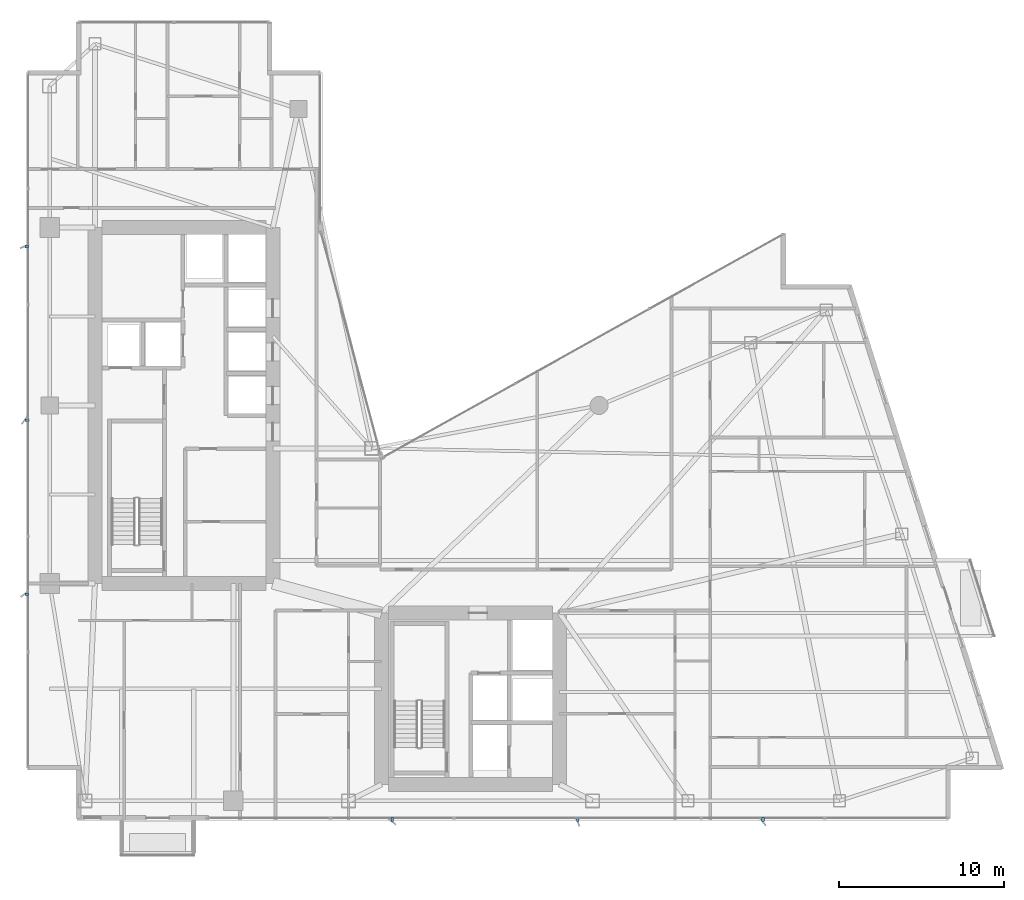
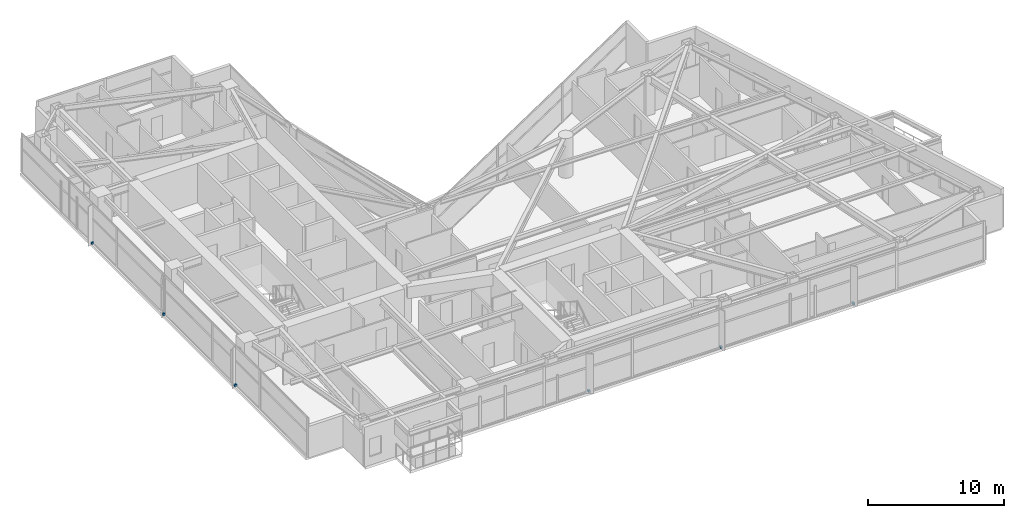
# One storey, part 26 of 28: 6 discrete accessories.
"""IFC4 building model written with IfcOpenShell, lengths in metres."""

from ifc_helpers import new_model, si_unit, direction, frame, origin, origin_2d, place, context, subcontext, project, spatial, rectangle, extrude, material, type_object, element, save


model = new_model("IFC4")

# Units and contexts
model_context = context("Model", 3, precision=1e-05, world=origin(), true_north=direction((0.0, 1.0)))
body_context = subcontext(model_context, "Body", "Model", "MODEL_VIEW")
ifc_project = project(units=[si_unit("LENGTHUNIT", "METRE"), si_unit("AREAUNIT", "SQUARE_METRE"), si_unit("VOLUMEUNIT", "CUBIC_METRE"), si_unit("PLANEANGLEUNIT", "RADIAN"), si_unit("MASSUNIT", "GRAM", prefix="KILO")], contexts=[model_context])

# Site, building, storey
site_placement = place(None, origin())
site = spatial("IfcSite", under=ifc_project, at=site_placement, CompositionType="ELEMENT")
building_placement = place(site_placement, origin())
building = spatial("IfcBuilding", under=site, at=building_placement, Name="Calvorn Quay Hotel", CompositionType="ELEMENT")
storey_placement = place(building_placement, frame((0.0, 0.0, 127.800048828125)))
storey = spatial("IfcBuildingStorey", under=building, at=storey_placement, Name="L31", CompositionType="ELEMENT", Elevation=127.800048828125)

# Discrete accessories
ifc_material = material(Name="Steel Q355B", Category="steel")
discrete_accessory_type = type_object("IfcDiscreteAccessoryType", Name="ACC-FIN-BRACKET", PredefinedType="BRACKET", material=ifc_material)
for number, where, z_axis, x_axis, name in (
    (1, (0.06005859375, 16.14990234375, 0.02978515625), (0.0, 0.0, 1.0), (1.0, 0.0, 0.0), "Fin Anchor Bracket L31-W01"),
    (2, (0.06005859375, 26.699951171875, 0.02978515625), (0.0, 0.0, 1.0), (1.0, 0.0, 0.0), "Fin Anchor Bracket L31-W02"),
    (3, (0.06005859375, 37.25, 0.02978515625), (0.0, 0.0, 1.0), (1.0, 0.0, 0.0), "Fin Anchor Bracket L31-W03"),
    (4, (22.25, 2.4599609375, 0.02978515625), (0.0, 0.0, 1.0), (0.0, 1.0, 0.0), "Fin Anchor Bracket L31-S01"),
    (5, (33.5, 2.4599609375, 0.02978515625), (0.0, 0.0, 1.0), (0.0, 1.0, 0.0), "Fin Anchor Bracket L31-S02"),
    (6, (44.75, 2.4599609375, 0.02978515625), (0.0, 0.0, 1.0), (0.0, 1.0, 0.0), "Fin Anchor Bracket L31-S03"),
):
    element("IfcDiscreteAccessory", number, at=place(storey_placement, frame(where, z_axis=z_axis, x_axis=x_axis)), inside=storey, type_object=discrete_accessory_type, Name=name, PredefinedType="BRACKET", context=body_context, shape_type="SweptSolid", body=[
        extrude(rectangle(XDim=0.239990234375, YDim=0.159912109375, at=origin_2d()), origin(), (0.0, 0.0, 1.0), 0.179931640625),
    ])

save(model, "model.ifc")
